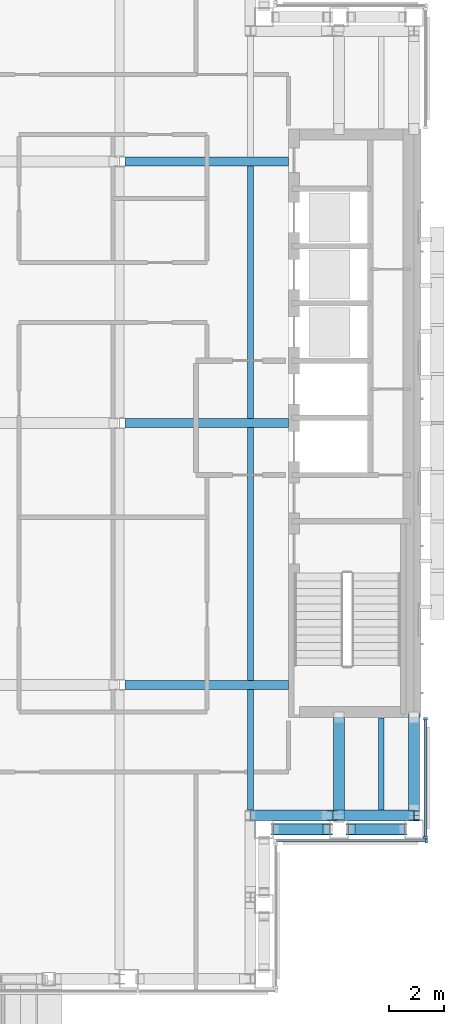
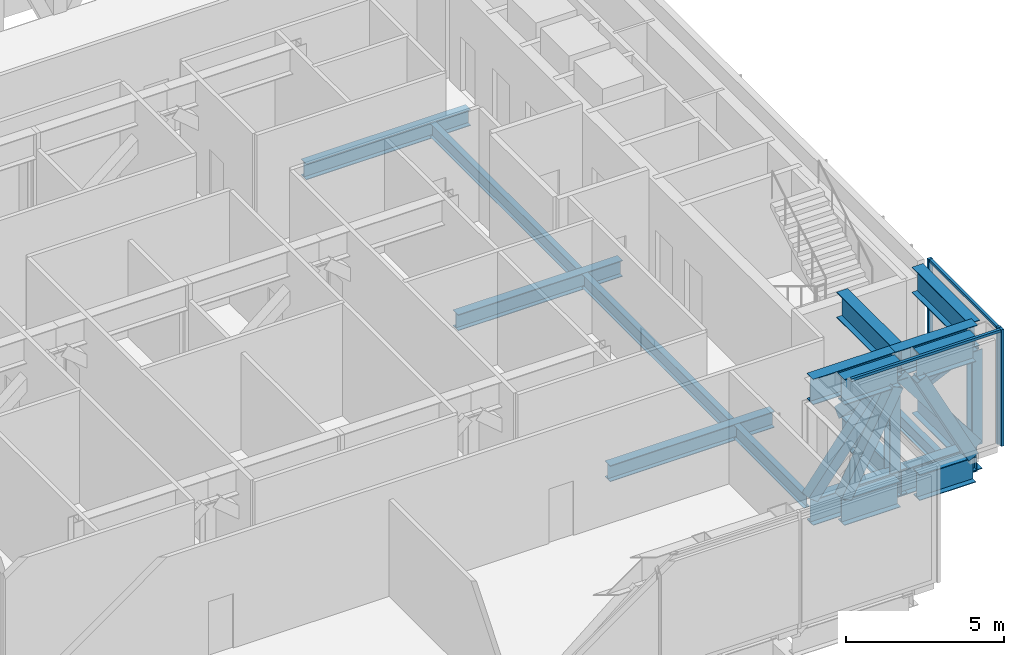
# One storey, part 6 of 26: 24 members, 7 beams, 2 elements without a shape of their own.
"""IFC4 building model written with IfcOpenShell, lengths in metres."""

from ifc_helpers import new_model, si_unit, direction, frame, origin, origin_2d, place, context, subcontext, project, spatial, rectangle, hollow_rectangle, i_section, extrude, material, material_profile, profile_set, type_object, element, aggregate, save


model = new_model("IFC4")

# Units and contexts
model_context = context("Model", 3, precision=1e-05, world=origin(), true_north=direction((0.0, 1.0)))
body_context = subcontext(model_context, "Body", "Model", "MODEL_VIEW")
ifc_project = project(units=[si_unit("LENGTHUNIT", "METRE"), si_unit("AREAUNIT", "SQUARE_METRE"), si_unit("VOLUMEUNIT", "CUBIC_METRE"), si_unit("PLANEANGLEUNIT", "RADIAN"), si_unit("MASSUNIT", "GRAM", prefix="KILO")], contexts=[model_context])

# Site, building, storey
site_placement = place(None, origin())
site = spatial("IfcSite", under=ifc_project, at=site_placement, CompositionType="ELEMENT")
building_placement = place(site_placement, origin())
building = spatial("IfcBuilding", under=site, at=building_placement, Name="Cobrizo Arcos Hotel Tower", CompositionType="ELEMENT")
storey_placement = place(building_placement, frame((0.0, 0.0, 236.5)))
storey = spatial("IfcBuildingStorey", under=building, at=storey_placement, Name="L62", CompositionType="ELEMENT", Elevation=236.5)

# Curtain wall, member
ifc_material_1 = material(Name="Aluminium 6063-T6 anodised bronze", Category="aluminium")
curtain_wall_type = type_object("IfcCurtainWallType", Name="CW-D plant louvre wall", PredefinedType="NOTDEFINED", material=ifc_material_1)
curtain_wall_1_placement = place(storey_placement, origin())
curtain_wall_1 = element("IfcCurtainWall", 1, at=curtain_wall_1_placement, inside=storey, type_object=curtain_wall_type, Name="CW-D L62 S face", PredefinedType="NOTDEFINED")
ifc_material_profile_1 = material_profile(ifc_material_1, rectangle(XDim=0.14990234375, YDim=0.10009765625, at=origin_2d()), Name="CW-D mullion 150x100")
ifc_profile_set_1 = profile_set([ifc_material_profile_1], Name="Aluminium 6063-T6 anodised bronze")
member_type_1 = type_object("IfcMemberType", Name="CW-D mullion 150x100", PredefinedType="MULLION", material=ifc_profile_set_1)
member_1_placement = place(storey_placement, frame((20.85009765625, -15.324951171875, 0.0), z_axis=(0.0, 0.0, 1.0), x_axis=(0.0, -1.0, 0.0)))
member_1 = element("IfcMember", 2, at=member_1_placement, type_object=member_type_1, Name="CW-D mullion 2", PredefinedType="MULLION", context=body_context, shape_type="SweptSolid", body=[
    extrude(rectangle(XDim=0.14990234375, YDim=0.10009765625, at=origin_2d()), origin(), (0.0, 0.0, 1.0), 4.5),
])

# Curtain wall, members
curtain_wall_2_placement = place(storey_placement, origin())
curtain_wall_2 = element("IfcCurtainWall", 3, at=curtain_wall_2_placement, inside=storey, type_object=curtain_wall_type, Name="CW-D L62 E face", PredefinedType="NOTDEFINED")
member_2_placement = place(storey_placement, frame((20.824951171875, -15.199951171875, 0.0), z_axis=(0.0, 0.0, 1.0), x_axis=(1.0, 0.0, 0.0)))
member_2 = element("IfcMember", 4, at=member_2_placement, type_object=member_type_1, Name="CW-D mullion 1", PredefinedType="MULLION", context=body_context, shape_type="SweptSolid", body=[
    extrude(rectangle(XDim=0.14990234375, YDim=0.10009765625, at=origin_2d()), origin(), (0.0, 0.0, 1.0), 4.5),
])
member_3_placement = place(storey_placement, frame((20.824951171875, -10.85009765625, 0.0), z_axis=(0.0, 0.0, 1.0), x_axis=(1.0, 0.0, 0.0)))
member_3 = element("IfcMember", 5, at=member_3_placement, type_object=member_type_1, Name="CW-D mullion 2", PredefinedType="MULLION", context=body_context, shape_type="SweptSolid", body=[
    extrude(rectangle(XDim=0.14990234375, YDim=0.10009765625, at=origin_2d()), origin(), (0.0, 0.0, 1.0), 4.5),
])

# Member
ifc_material_profile_2 = material_profile(ifc_material_1, rectangle(XDim=0.10009765625, YDim=0.10009765625, at=origin_2d()), Name="CW-D transom 100x100")
ifc_profile_set_2 = profile_set([ifc_material_profile_2], Name="Aluminium 6063-T6 anodised bronze")
member_type_2 = type_object("IfcMemberType", Name="CW-D transom 100x100", PredefinedType="USERDEFINED", material=ifc_profile_set_2)
member_4_placement = place(storey_placement, frame((15.35009765625, -15.324951171875, 4.449951171875), z_axis=(1.0, 0.0, 0.0), x_axis=(0.0, 1.0, 0.0)))
member_4 = element("IfcMember", 6, at=member_4_placement, type_object=member_type_2, Name="CW-D transom 1995", ObjectType="TRANSOM", PredefinedType="USERDEFINED", context=body_context, shape_type="SweptSolid", body=[
    extrude(rectangle(XDim=0.10009765625, YDim=0.10009765625, at=origin_2d()), origin(), (0.0, 0.0, 1.0), 5.449951171875),
])

aggregate(curtain_wall_1, [member_1, member_4])

member_5_placement = place(storey_placement, frame((20.824951171875, -15.14990234375, 4.449951171875), z_axis=(0.0, 1.0, 0.0), x_axis=(-1.0, 0.0, 0.0)))
member_5 = element("IfcMember", 7, at=member_5_placement, type_object=member_type_2, Name="CW-D transom 1996", ObjectType="TRANSOM", PredefinedType="USERDEFINED", context=body_context, shape_type="SweptSolid", body=[
    extrude(rectangle(XDim=0.10009765625, YDim=0.10009765625, at=origin_2d()), origin(), (0.0, 0.0, 1.0), 4.25),
])

aggregate(curtain_wall_2, [member_2, member_3, member_5])

# Members
ifc_material_2 = material(Name="Steel ASTM A500 Grade C", Category="steel")
ifc_material_profile_3 = material_profile(ifc_material_2, hollow_rectangle(XDim=0.406494140625, YDim=0.406494140625, WallThickness=0.014892578125, at=origin_2d()), Name="HSS16X16X5/8")
ifc_profile_set_3 = profile_set([ifc_material_profile_3], Name="Steel ASTM A500 Grade C")
member_type_3 = type_object("IfcMemberType", Name="HSS16X16X5/8 truss diagonal", PredefinedType="BRACE", material=ifc_profile_set_3)
for number, where, z_axis, x_axis, name in (
    (8, (15.330078125, -14.89990234375, -0.300048828125), (0.458864866216, 0.0, 0.888506068945), (0.0, 1.0, 0.0), "Belt truss diagonal TD1, L62, no. 011"),
    (9, (18.080078125, -14.89990234375, 3.359375), (0.458864866216, 0.0, -0.888506068945), (0.0, 1.0, 0.0), "Belt truss diagonal TD1, L62, no. 012"),
):
    element("IfcMember", number, at=place(storey_placement, frame(where, z_axis=z_axis, x_axis=x_axis)), inside=storey, type_object=member_type_3, Name=name, PredefinedType="BRACE", context=body_context, shape_type="SweptSolid", body=[
        extrude(hollow_rectangle(XDim=0.406494140625, YDim=0.406494140625, WallThickness=0.014892578125, at=origin_2d()), origin(), (0.0, 0.0, 1.0), 4.11865234375),
    ])
member_6_placement = place(storey_placement, frame((20.39990234375, -14.199951171875, 3.359375), z_axis=(0.0, 0.680546716419, -0.732704692746), x_axis=(-1.0, 0.0, 0.0)))
element("IfcMember", 10, at=member_6_placement, inside=storey, type_object=member_type_3, Name="Belt truss diagonal TD1, L62, no. 013", PredefinedType="BRACE", context=body_context, shape_type="SweptSolid", body=[
    extrude(hollow_rectangle(XDim=0.406494140625, YDim=0.406494140625, WallThickness=0.014892578125, at=origin_2d()), origin(), (0.0, 0.0, 1.0), 4.994384765625),
])
for number, where, z_axis, x_axis, name in (
    (11, (14.39990234375, -14.39990234375, -0.300048828125), (0.607678216274, 0.0, 0.794183344994), (0.0, 1.0, 0.0), "Belt truss diagonal TD1, L62, no. 039"),
    (12, (17.60009765625, -14.39990234375, 3.359375), (0.607644795951, 0.0, -0.794208915811), (0.0, 1.0, 0.0), "Belt truss diagonal TD1, L62, no. 040"),
):
    element("IfcMember", number, at=place(storey_placement, frame(where, z_axis=z_axis, x_axis=x_axis)), inside=storey, type_object=member_type_3, Name=name, PredefinedType="BRACE", context=body_context, shape_type="SweptSolid", body=[
        extrude(hollow_rectangle(XDim=0.406494140625, YDim=0.406494140625, WallThickness=0.014892578125, at=origin_2d()), origin(), (0.0, 0.0, 1.0), 4.607666015625),
    ])
member_7_placement = place(storey_placement, frame((17.64990234375, -10.800048828125, -0.300048828125), z_axis=(0.0, -0.708118865561, 0.706093246134), x_axis=(1.0, 0.0, 0.0)))
element("IfcMember", 13, at=member_7_placement, inside=storey, type_object=member_type_3, Name="Outrigger diagonal TD1, L62, no. 001", PredefinedType="BRACE", context=body_context, shape_type="SweptSolid", body=[
    extrude(hollow_rectangle(XDim=0.406494140625, YDim=0.406494140625, WallThickness=0.014892578125, at=origin_2d()), origin(), (0.0, 0.0, 1.0), 5.1826171875),
])
ifc_material_3 = material(Name="Steel ASTM A992 Grade 50", Category="steel")
ifc_material_profile_4 = material_profile(ifc_material_3, i_section(OverallWidth=0.373291015625, OverallDepth=0.373291015625, WebThickness=0.016357421875, FlangeThickness=0.026123046875, at=origin_2d()), Name="W14X132")
ifc_profile_set_4 = profile_set([ifc_material_profile_4], Name="Steel ASTM A992 Grade 50")
member_type_4 = type_object("IfcMemberType", Name="W14X132 truss post", PredefinedType="POST", material=ifc_profile_set_4)
for number, where, z_axis, x_axis, name in (
    (14, (20.39990234375, -14.39990234375, -0.300048828125), (0.0, 0.0, 1.0), (1.0, 0.0, 0.0), "Truss post TP1, L62, no. 008"),
    (15, (17.39990234375, -14.39990234375, -0.300048828125), (0.0, 0.0, 1.0), (1.0, 0.0, 0.0), "Truss post TP1, L62, no. 021"),
):
    element("IfcMember", number, at=place(storey_placement, frame(where, z_axis=z_axis, x_axis=x_axis)), inside=storey, type_object=member_type_4, Name=name, PredefinedType="POST", context=body_context, shape_type="SweptSolid", body=[
        extrude(i_section(OverallWidth=0.373291015625, OverallDepth=0.373291015625, WebThickness=0.016357421875, FlangeThickness=0.026123046875, at=origin_2d()), origin(), (0.0, 0.0, 1.0), 3.659423828125),
    ])

# Beams
ifc_material_profile_5 = material_profile(ifc_material_3, i_section(OverallWidth=0.209228515625, OverallDepth=0.533447265625, WebThickness=0.01025390625, FlangeThickness=0.015625, at=origin_2d()), Name="W21X62")
ifc_profile_set_5 = profile_set([ifc_material_profile_5], Name="Steel ASTM A992 Grade 50")
beam_type_1 = type_object("IfcBeamType", Name="W21X62 joist", PredefinedType="JOIST", material=ifc_profile_set_5)
beam_1_placement = place(storey_placement, frame((14.39990234375, -14.199462890625, -0.566650390625), z_axis=(0.0, 1.0, 0.0), x_axis=(-1.0, 0.0, 0.0)))
element("IfcBeam", 16, at=beam_1_placement, inside=storey, type_object=beam_type_1, Name="Floor joist J1, L62, no. 015", PredefinedType="JOIST", context=body_context, shape_type="SweptSolid", body=[
    extrude(i_section(OverallWidth=0.209228515625, OverallDepth=0.533447265625, WebThickness=0.01025390625, FlangeThickness=0.015625, at=origin_2d()), origin(), (0.0, 0.0, 1.0), 4.435546875),
])
for number, where, z_axis, x_axis, name in (
    (17, (14.39990234375, -9.43603515625, -0.566650390625), (0.0, 1.0, 0.0), (-1.0, 0.0, 0.0), "Floor joist J1, L62, no. 016"),
    (18, (14.39990234375, 0.163818359375, -0.566650390625), (0.0, 1.0, 0.0), (-1.0, 0.0, 0.0), "Floor joist J1, L62, no. 017"),
):
    element("IfcBeam", number, at=place(storey_placement, frame(where, z_axis=z_axis, x_axis=x_axis)), inside=storey, type_object=beam_type_1, Name=name, PredefinedType="JOIST", context=body_context, shape_type="SweptSolid", body=[
        extrude(i_section(OverallWidth=0.209228515625, OverallDepth=0.533447265625, WebThickness=0.01025390625, FlangeThickness=0.015625, at=origin_2d()), origin(), (0.0, 0.0, 1.0), 9.272216796875),
    ])
beam_2_placement = place(storey_placement, frame((19.199951171875, -14.199462890625, -0.566650390625), z_axis=(0.0, 1.0, 0.0), x_axis=(-1.0, 0.0, 0.0)))
element("IfcBeam", 19, at=beam_2_placement, inside=storey, type_object=beam_type_1, Name="Floor joist J1, L62, no. 019", PredefinedType="JOIST", context=body_context, shape_type="SweptSolid", body=[
    extrude(i_section(OverallWidth=0.209228515625, OverallDepth=0.533447265625, WebThickness=0.01025390625, FlangeThickness=0.015625, at=origin_2d()), origin(), (0.0, 0.0, 1.0), 3.389404296875),
])
ifc_material_profile_6 = material_profile(ifc_material_3, i_section(OverallWidth=0.32763671875, OverallDepth=0.622314453125, WebThickness=0.015380859375, FlangeThickness=0.0244140625, at=origin_2d()), Name="W24X131")
ifc_profile_set_6 = profile_set([ifc_material_profile_6], Name="Steel ASTM A992 Grade 50")
beam_type_2 = type_object("IfcBeamType", Name="W24X131 girder", PredefinedType="BEAM", material=ifc_profile_set_6)
for number, where, z_axis, x_axis, name in (
    (20, (9.78662109375, -9.60009765625, -0.611083984375), (1.0, 0.0, 0.0), (0.0, 1.0, 0.0), "Floor girder G1, L62, no. 002"),
    (21, (9.78662109375, 0.0, -0.611083984375), (1.0, 0.0, 0.0), (0.0, 1.0, 0.0), "Floor girder G1, L62, no. 004"),
    (22, (9.78662109375, 9.60009765625, -0.611083984375), (1.0, 0.0, 0.0), (0.0, 1.0, 0.0), "Floor girder G1, L62, no. 006"),
):
    element("IfcBeam", number, at=place(storey_placement, frame(where, z_axis=z_axis, x_axis=x_axis)), inside=storey, type_object=beam_type_2, Name=name, PredefinedType="BEAM", context=body_context, shape_type="SweptSolid", body=[
        extrude(i_section(OverallWidth=0.32763671875, OverallDepth=0.622314453125, WebThickness=0.015380859375, FlangeThickness=0.0244140625, at=origin_2d()), origin(), (0.0, 0.0, 1.0), 6.00341796875),
    ])

# Members
ifc_material_profile_7 = material_profile(ifc_material_3, i_section(OverallWidth=0.4013671875, OverallDepth=0.990478515625, WebThickness=0.0166015625, FlangeThickness=0.025390625, at=origin_2d()), Name="W40X215")
ifc_profile_set_7 = profile_set([ifc_material_profile_7], Name="Steel ASTM A992 Grade 50")
member_type_5 = type_object("IfcMemberType", Name="W40X215 belt truss chord", PredefinedType="CHORD", material=ifc_profile_set_7)
for number, where, z_axis, x_axis, name in (
    (23, (15.25, -14.89990234375, -0.79541015625), (1.0, 0.0, 0.0), (0.0, 1.0, 0.0), "Belt truss bottom chord TC1, L62, no. 008"),
    (24, (18.0, -14.89990234375, -0.79541015625), (1.0, 0.0, 0.0), (0.0, 1.0, 0.0), "Belt truss bottom chord TC1, L62, no. 009"),
    (25, (15.25, -14.89990234375, 3.854736328125), (1.0, 0.0, 0.0), (0.0, 1.0, 0.0), "Belt truss top chord TC1, L62, no. 011"),
    (26, (18.0, -14.89990234375, 3.854736328125), (1.0, 0.0, 0.0), (0.0, 1.0, 0.0), "Belt truss top chord TC1, L62, no. 012"),
):
    element("IfcMember", number, at=place(storey_placement, frame(where, z_axis=z_axis, x_axis=x_axis)), inside=storey, type_object=member_type_5, Name=name, PredefinedType="CHORD", context=body_context, shape_type="SweptSolid", body=[
        extrude(i_section(OverallWidth=0.4013671875, OverallDepth=0.990478515625, WebThickness=0.0166015625, FlangeThickness=0.025390625, at=origin_2d()), origin(), (0.0, 0.0, 1.0), 2.050048828125),
    ])
member_8_placement = place(storey_placement, frame((20.39990234375, -14.550048828125, -0.79541015625), z_axis=(0.0, 1.0, 0.0), x_axis=(-1.0, 0.0, 0.0)))
element("IfcMember", 27, at=member_8_placement, inside=storey, type_object=member_type_5, Name="Belt truss bottom chord TC1, L62, no. 010", PredefinedType="CHORD", context=body_context, shape_type="SweptSolid", body=[
    extrude(i_section(OverallWidth=0.4013671875, OverallDepth=0.990478515625, WebThickness=0.0166015625, FlangeThickness=0.025390625, at=origin_2d()), origin(), (0.0, 0.0, 1.0), 3.7490234375),
])
member_9_placement = place(storey_placement, frame((20.39990234375, -14.39990234375, 3.854736328125), z_axis=(0.0, 1.0, 0.0), x_axis=(-1.0, 0.0, 0.0)))
element("IfcMember", 28, at=member_9_placement, inside=storey, type_object=member_type_5, Name="Belt truss top chord TC1, L62, no. 013", PredefinedType="CHORD", context=body_context, shape_type="SweptSolid", body=[
    extrude(i_section(OverallWidth=0.4013671875, OverallDepth=0.990478515625, WebThickness=0.0166015625, FlangeThickness=0.025390625, at=origin_2d()), origin(), (0.0, 0.0, 1.0), 3.598876953125),
])
member_10_placement = place(storey_placement, frame((14.39990234375, -14.39990234375, -0.79541015625), z_axis=(1.0, 0.0, 0.0), x_axis=(0.0, 1.0, 0.0)))
element("IfcMember", 29, at=member_10_placement, inside=storey, type_object=member_type_5, Name="Belt truss bottom chord TC1, L62, no. 032", PredefinedType="CHORD", context=body_context, shape_type="SweptSolid", body=[
    extrude(i_section(OverallWidth=0.4013671875, OverallDepth=0.990478515625, WebThickness=0.0166015625, FlangeThickness=0.025390625, at=origin_2d()), origin(), (0.0, 0.0, 1.0), 6.0),
])
for number, where, z_axis, x_axis, name in (
    (30, (14.39990234375, -14.39990234375, 3.854736328125), (1.0, 0.0, 0.0), (0.0, 1.0, 0.0), "Belt truss top chord TC1, L62, no. 039"),
    (31, (17.39990234375, -14.39990234375, 3.854736328125), (1.0, 0.0, 0.0), (0.0, 1.0, 0.0), "Belt truss top chord TC1, L62, no. 040"),
):
    element("IfcMember", number, at=place(storey_placement, frame(where, z_axis=z_axis, x_axis=x_axis)), inside=storey, type_object=member_type_5, Name=name, PredefinedType="CHORD", context=body_context, shape_type="SweptSolid", body=[
        extrude(i_section(OverallWidth=0.4013671875, OverallDepth=0.990478515625, WebThickness=0.0166015625, FlangeThickness=0.025390625, at=origin_2d()), origin(), (0.0, 0.0, 1.0), 3.0),
    ])
for number, where, z_axis, x_axis, name in (
    (32, (17.64990234375, -10.800048828125, -0.79541015625), (0.0, -1.0, 0.0), (1.0, 0.0, 0.0), "Outrigger bottom chord TC1, L62, no. 001"),
    (33, (17.64990234375, -10.800048828125, 3.854736328125), (0.0, -1.0, 0.0), (1.0, 0.0, 0.0), "Outrigger top chord TC1, L62, no. 001"),
):
    element("IfcMember", number, at=place(storey_placement, frame(where, z_axis=z_axis, x_axis=x_axis)), inside=storey, type_object=member_type_5, Name=name, PredefinedType="CHORD", context=body_context, shape_type="SweptSolid", body=[
        extrude(i_section(OverallWidth=0.4013671875, OverallDepth=0.990478515625, WebThickness=0.0166015625, FlangeThickness=0.025390625, at=origin_2d()), origin(), (0.0, 0.0, 1.0), 3.75),
    ])

save(model, "model.ifc")
